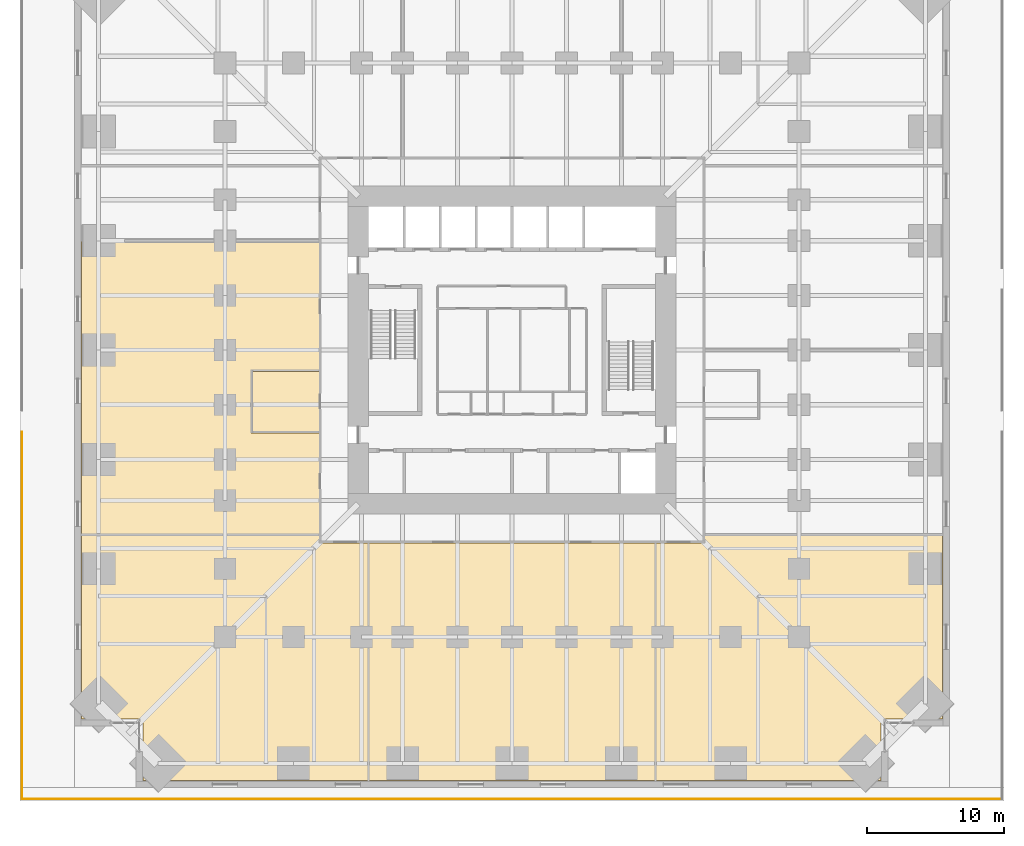
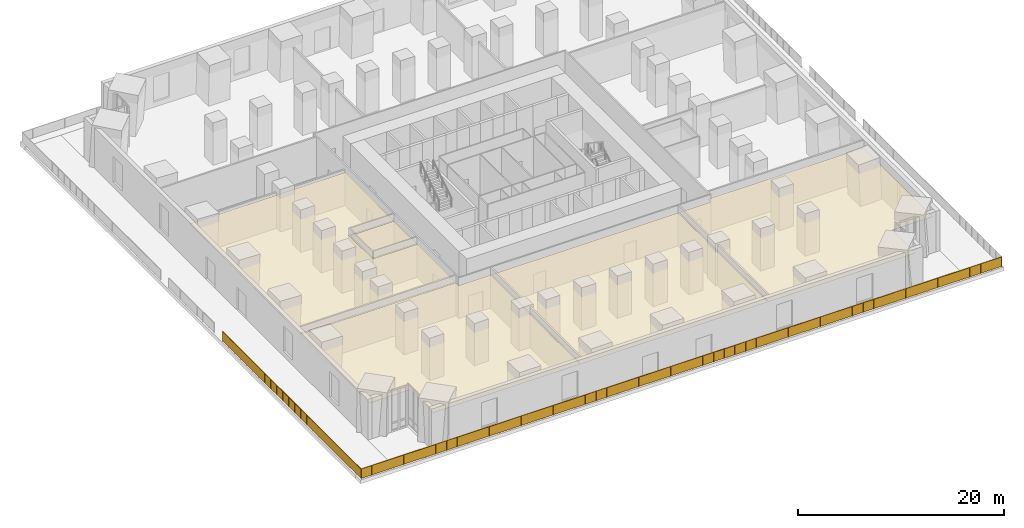
# One storey, part 24 of 26: 5 coverings, 2 railings.
"""IFC4 building model written with IfcOpenShell, lengths in metres."""

import ifcopenshell
import ifcopenshell.guid

model = None  # the IFC model being written
_history = None  # IfcOwnerHistory: only IFC2X3 demands one
_inside = {}  # id of a spatial element -> (the spatial element, [elements in it])
_under = {}  # id of a project, library or spatial element -> (it, [spatial elements below it])
_declared = {}  # id of a project -> (the project, [libraries it declares])
_typed = {}  # id of a type object -> (the type object, [elements of that type])
_made_of = {}  # id of a material, layer set ... -> (it, [elements and type objects made of it])


def new_model(schema):
    """Start an empty IFC model of exactly this schema.

    Asked for "IFC4X3", IfcOpenShell would pick the latest addendum, in which some entities
    have other attributes; the version numbers below select the first issue.
    IFC2X3 requires an IfcOwnerHistory on every rooted entity: one is made here for all.
    """
    global model, _history
    if schema == "IFC4X3":
        model = ifcopenshell.file(schema_version=(4, 3, 0, 0))
    else:
        model = ifcopenshell.file(schema=schema)
    _inside.clear()
    _under.clear()
    _declared.clear()
    _typed.clear()
    _made_of.clear()
    _history = None
    if model.schema == "IFC2X3":
        org = make("IfcOrganization", Name="unknown")
        user = make(
            "IfcPersonAndOrganization",
            ThePerson=make("IfcPerson", FamilyName="unknown"),
            TheOrganization=org,
        )
        app = make(
            "IfcApplication",
            ApplicationDeveloper=org,
            Version="unknown",
            ApplicationFullName="unknown",
            ApplicationIdentifier="unknown",
        )
        _history = make(
            "IfcOwnerHistory",
            OwningUser=user,
            OwningApplication=app,
            ChangeAction="ADDED",
            CreationDate=0,
        )
    return model


def make(cls, **values):
    """One entity of the class cls with the attributes given. An attribute that is None is left unset."""
    return model.create_entity(
        cls, **{name: value for name, value in values.items() if value is not None}
    )


def rooted(cls, **values):
    """An entity with a GlobalId (a new one), such as an element, a storey or a relation."""
    return make(cls, GlobalId=ifcopenshell.guid.new(), OwnerHistory=_history, **values)


def si_unit(unit_type, name, prefix=None):
    """IfcSIUnit, for example si_unit("LENGTHUNIT", "METRE", prefix="MILLI")."""
    return make("IfcSIUnit", UnitType=unit_type, Prefix=prefix, Name=name)


def assignment(units):
    """IfcUnitAssignment: the units of a project."""
    return None if units is None else make("IfcUnitAssignment", Units=units)


def point(xyz):
    """IfcCartesianPoint."""
    return None if xyz is None else make("IfcCartesianPoint", Coordinates=xyz)


def direction(xyz):
    """IfcDirection."""
    return None if xyz is None else make("IfcDirection", DirectionRatios=xyz)


def frame(location, z_axis=None, x_axis=None):
    """IfcAxis2Placement3D, a coordinate frame: its origin and axes. An axis left out is left unset."""
    return make(
        "IfcAxis2Placement3D",
        Location=point(location),
        Axis=direction(z_axis),
        RefDirection=direction(x_axis),
    )


def frame_2d(location, x_axis=None):
    """IfcAxis2Placement2D, a coordinate frame in the plane: its origin and x axis."""
    return make(
        "IfcAxis2Placement2D", Location=point(location), RefDirection=direction(x_axis)
    )


def origin():
    """The frame at (0, 0, 0) with its axes left unset."""
    return frame((0.0, 0.0, 0.0))


def origin_2d():
    """The frame at (0, 0) in the plane with its x axis left unset."""
    return frame_2d((0.0, 0.0))


def place(relative_to, where):
    """IfcLocalPlacement: puts the frame where relative to a parent placement (None: the world)."""
    return make(
        "IfcLocalPlacement", PlacementRelTo=relative_to, RelativePlacement=where
    )


def context(
    kind, dimensions, precision=None, world=None, true_north=None, identifier=None
):
    """IfcGeometricRepresentationContext, for example the 3D "Model" context."""
    return make(
        "IfcGeometricRepresentationContext",
        ContextIdentifier=identifier,
        ContextType=kind,
        CoordinateSpaceDimension=dimensions,
        Precision=precision,
        WorldCoordinateSystem=world,
        TrueNorth=true_north,
    )


def subcontext(parent, identifier, kind, view, scale=None):
    """IfcGeometricRepresentationSubContext, for example "Body" below "Model"."""
    return make(
        "IfcGeometricRepresentationSubContext",
        ContextIdentifier=identifier,
        ContextType=kind,
        ParentContext=parent,
        TargetScale=scale,
        TargetView=view,
    )


def project(units=None, contexts=None):
    """IfcProject with its units and contexts."""
    return rooted(
        "IfcProject",
        Name="project",
        RepresentationContexts=contexts,
        UnitsInContext=assignment(units),
    )


def spatial(cls, under=None, at=None, **own):
    """A site, building, storey or space (cls), placed at a placement, below another one or the project."""
    s = rooted(cls, ObjectPlacement=at, **own)
    if under is not None:
        _under.setdefault(under.id(), (under, []))[1].append(s)
    return s


def polyline(points):
    """IfcPolyline through the points."""
    return make("IfcPolyline", Points=[point(p) for p in points])


def profile(cls, at=None, kind="AREA", **sizes):
    """A parametric profile (cls). Its sizes go by their IFC names, for example OverallWidth=200.0."""
    return make(cls, ProfileType=kind, Position=at, **sizes)


def rectangle(**sizes):
    """IfcRectangleProfileDef."""
    return profile("IfcRectangleProfileDef", **sizes)


def circle(**sizes):
    """IfcCircleProfileDef."""
    return profile("IfcCircleProfileDef", **sizes)


def outline(outer, holes=None, kind="AREA"):
    """IfcArbitraryClosedProfileDef: a profile drawn as a closed curve; with holes, ...WithVoids."""
    if holes is None:
        return make("IfcArbitraryClosedProfileDef", ProfileType=kind, OuterCurve=outer)
    return make(
        "IfcArbitraryProfileDefWithVoids",
        ProfileType=kind,
        OuterCurve=outer,
        InnerCurves=holes,
    )


def extrude(swept, where, along, depth):
    """IfcExtrudedAreaSolid: the profile swept, set in the frame where, extruded along a direction by depth."""
    return make(
        "IfcExtrudedAreaSolid",
        SweptArea=swept,
        Position=where,
        ExtrudedDirection=direction(along),
        Depth=depth,
    )


def shape(context_of_items, identifier, shape_type, items):
    """IfcShapeRepresentation: the items that make up one representation, for example the "Body"."""
    return make(
        "IfcShapeRepresentation",
        ContextOfItems=context_of_items,
        RepresentationIdentifier=identifier,
        RepresentationType=shape_type,
        Items=items,
    )


def material(Name=None, Category=None):
    """IfcMaterial."""
    return make("IfcMaterial", Name=Name, Category=Category)


def layer(
    of_material, thickness, ventilated=None, Name=None, Category=None, Priority=None
):
    """IfcMaterialLayer: one layer of a wall or slab, of a material (None: an air gap)."""
    return make(
        "IfcMaterialLayer",
        Material=of_material,
        LayerThickness=thickness,
        IsVentilated=ventilated,
        Name=Name,
        Category=Category,
        Priority=Priority,
    )


def layer_set(layers, Name=None):
    """IfcMaterialLayerSet."""
    return make("IfcMaterialLayerSet", MaterialLayers=layers, LayerSetName=Name)


def made_of(thing, what):
    """Note that an element or type object is made of a material, layer set ...; save() writes the relation."""
    if what is not None:
        _made_of.setdefault(what.id(), (what, []))[1].append(thing)
    return thing


def type_object(cls, material=None, **own):
    """A type object (cls), such as IfcWallType, which elements share."""
    return made_of(rooted(cls, **own), material)


def element(
    cls,
    number,
    at=None,
    inside=None,
    cuts=None,
    type_object=None,
    material=None,
    context=None,
    identifier="Body",
    shape_type=None,
    held_by="IfcProductDefinitionShape",
    body=None,
    shapes=None,
    **own,
):
    """One element of the class cls, such as IfcWall. Its Tag is "e" and its number.

    at: its placement. inside: the storey or other place that contains it. cuts: it is an
    opening in that element (IfcRelVoidsElement). A single representation is given by context,
    identifier, shape_type and body (its items); several are given by shapes. held_by: the class
    of the entity that holds the representations. save() writes the other relations.
    """
    e = rooted(cls, Tag="e%d" % number, ObjectPlacement=at, **own)
    if body is not None:
        shapes = [shape(context, identifier, shape_type, body)]
    if shapes is not None:
        e.Representation = make(held_by, Representations=shapes)
    if inside is not None:
        _inside.setdefault(inside.id(), (inside, []))[1].append(e)
    if cuts is not None:
        rooted(
            "IfcRelVoidsElement", RelatingBuildingElement=cuts, RelatedOpeningElement=e
        )
    if type_object is not None:
        _typed.setdefault(type_object.id(), (type_object, []))[1].append(e)
    return made_of(e, material)


def aggregate(whole, parts):
    """IfcRelAggregates: a whole, such as a stair, and the parts it consists of."""
    return rooted("IfcRelAggregates", RelatingObject=whole, RelatedObjects=parts)


def save(model, path):
    """Write the relations noted so far, then the file.

    IfcRelAggregates (storeys below a building ...), IfcRelContainedInSpatialStructure (elements
    in a storey), IfcRelDefinesByType, IfcRelAssociatesMaterial and IfcRelDeclares: one each for
    every whole, place, type object, material and project.
    """
    for whole, parts in _under.values():
        aggregate(whole, parts)
    for where, things in _inside.values():
        rooted(
            "IfcRelContainedInSpatialStructure",
            RelatedElements=things,
            RelatingStructure=where,
        )
    for kind, things in _typed.values():
        rooted("IfcRelDefinesByType", RelatedObjects=things, RelatingType=kind)
    for what, things in _made_of.values():
        rooted("IfcRelAssociatesMaterial", RelatedObjects=things, RelatingMaterial=what)
    for by, libraries in _declared.values():
        rooted("IfcRelDeclares", RelatingContext=by, RelatedDefinitions=libraries)
    model.write(path)


model = new_model("IFC4")

# Units and contexts
model_context = context("Model", 3, precision=1e-05, world=origin(), true_north=direction((0.0, 1.0)))
body_context = subcontext(model_context, "Body", "Model", "MODEL_VIEW")
ifc_project = project(units=[si_unit("LENGTHUNIT", "METRE"), si_unit("AREAUNIT", "SQUARE_METRE"), si_unit("VOLUMEUNIT", "CUBIC_METRE"), si_unit("PLANEANGLEUNIT", "RADIAN"), si_unit("MASSUNIT", "GRAM", prefix="KILO")], contexts=[model_context])

# Site, building, storey
site_placement = place(None, origin())
site = spatial("IfcSite", under=ifc_project, at=site_placement, CompositionType="ELEMENT")
building_placement = place(site_placement, origin())
building = spatial("IfcBuilding", under=site, at=building_placement, Name="Peilmerk Tower", CompositionType="ELEMENT")
storey_placement = place(building_placement, frame((0.0, 0.0, 16.0)))
storey = spatial("IfcBuildingStorey", under=building, at=storey_placement, Name="L03", CompositionType="ELEMENT", Elevation=16.0)

# Coverings
ifc_material_1 = material(Name="Mineral fibre ceiling tiles", Category="mineral")
ifc_layer = layer(ifc_material_1, 0.02490234375)
ifc_layer_set = layer_set([ifc_layer], Name="Mineral fibre ceiling tiles")
covering_type = type_object("IfcCoveringType", Name="CL1 25 suspended ceiling", PredefinedType="CEILING", material=ifc_layer_set)
covering_1_placement = place(storey_placement, frame((0.0, 0.0, 3.875)))
element("IfcCovering", 1, at=covering_1_placement, inside=storey, type_object=covering_type, Name="Suspended ceiling Open workspace", PredefinedType="CEILING", context=body_context, shape_type="SweptSolid", body=[
    extrude(outline(polyline([(-27.0, -31.5), (-10.550048828125, -31.5), (-10.550048828125, -14.10009765625), (-14.10009765625, -14.10009765625), (-14.10009765625, -13.550048828125), (-31.5, -13.550048828125), (-31.5, -27.0), (-27.0, -27.0), (-27.0, -31.5)])), origin(), (0.0, 0.0, 1.0), 0.02490234375),
])
covering_2_placement = place(storey_placement, frame((0.0, 0.0, 3.875)))
element("IfcCovering", 2, at=covering_2_placement, inside=storey, type_object=covering_type, Name="Suspended ceiling Training room", PredefinedType="CEILING", context=body_context, shape_type="SweptSolid", body=[
    extrude(outline(polyline([(-10.449951171875, -31.5), (10.449951171875, -31.5), (10.449951171875, -14.10009765625), (-10.449951171875, -14.10009765625), (-10.449951171875, -31.5)])), origin(), (0.0, 0.0, 1.0), 0.02490234375),
])
covering_3_placement = place(storey_placement, frame((0.0, 0.0, 3.875)))
element("IfcCovering", 3, at=covering_3_placement, inside=storey, type_object=covering_type, Name="Suspended ceiling Open workspace", PredefinedType="CEILING", context=body_context, shape_type="SweptSolid", body=[
    extrude(outline(polyline([(10.550048828125, -31.5), (27.0, -31.5), (27.0, -27.0), (31.5, -27.0), (31.5, -13.550048828125), (14.10009765625, -13.550048828125), (14.10009765625, -14.10009765625), (10.550048828125, -14.10009765625), (10.550048828125, -31.5)])), origin(), (0.0, 0.0, 1.0), 0.02490234375),
])
covering_4_placement = place(storey_placement, frame((0.0, 0.0, 3.875)))
element("IfcCovering", 4, at=covering_4_placement, inside=storey, type_object=covering_type, Name="Suspended ceiling Office", PredefinedType="CEILING", context=body_context, shape_type="SweptSolid", body=[
    extrude(outline(polyline([(-14.10009765625, 7.949951171875), (-31.5, 7.949951171875), (-31.5, -13.449951171875), (-14.10009765625, -13.449951171875), (-14.10009765625, -6.050048828125), (-19.10009765625, -6.050048828125), (-19.10009765625, -1.449951171875), (-14.10009765625, -1.449951171875), (-14.10009765625, 7.949951171875)])), origin(), (0.0, 0.0, 1.0), 0.02490234375),
])
covering_5_placement = place(storey_placement, frame((0.0, 0.0, 3.875)))
element("IfcCovering", 5, at=covering_5_placement, inside=storey, type_object=covering_type, Name="Suspended ceiling Meeting room", PredefinedType="CEILING", context=body_context, shape_type="SweptSolid", body=[
    extrude(outline(polyline([(-14.10009765625, -5.949951171875), (-14.10009765625, -1.550048828125), (-19.0, -1.550048828125), (-19.0, -5.949951171875), (-14.10009765625, -5.949951171875)])), origin(), (0.0, 0.0, 1.0), 0.02490234375),
])

# Railings
ifc_material_2 = material(Name="Galvanised steel posts and top rail, laminated glass infill 16", Category="steel")
railing_type = type_object("IfcRailingType", Name="GR2 1200 terrace balustrade", PredefinedType="BALUSTRADE", material=ifc_material_2)
railing_1_placement = place(storey_placement, frame((-35.85009765625, -32.85009765625, 0.0)))
element("IfcRailing", 6, at=railing_1_placement, inside=storey, type_object=railing_type, Name="Terrace balustrade L03", PredefinedType="BALUSTRADE", context=body_context, shape_type="SweptSolid", body=[
    extrude(circle(Radius=0.02392578125, at=origin_2d()), frame((0.0, 0.0, 1.17578125), z_axis=(1.0, 0.0, 0.0), x_axis=(0.0, 1.0, 0.0)), (0.0, 0.0, 1.0), 71.7001953125),
    extrude(circle(Radius=0.02099609375, at=origin_2d()), origin(), (0.0, 0.0, 1.0), 1.15185546875),
    extrude(circle(Radius=0.02099609375, at=origin_2d()), frame((1.195068359375, 0.0, 0.0)), (0.0, 0.0, 1.0), 1.15185546875),
    extrude(circle(Radius=0.02099609375, at=origin_2d()), frame((2.389892578125, 0.0, 0.0)), (0.0, 0.0, 1.0), 1.15185546875),
    extrude(circle(Radius=0.02099609375, at=origin_2d()), frame((3.5849609375, 0.0, 0.0)), (0.0, 0.0, 1.0), 1.15185546875),
    extrude(circle(Radius=0.02099609375, at=origin_2d()), frame((4.780029296875, 0.0, 0.0)), (0.0, 0.0, 1.0), 1.15185546875),
    extrude(circle(Radius=0.02099609375, at=origin_2d()), frame((5.97509765625, 0.0, 0.0)), (0.0, 0.0, 1.0), 1.15185546875),
    extrude(circle(Radius=0.02099609375, at=origin_2d()), frame((7.169921875, 0.0, 0.0)), (0.0, 0.0, 1.0), 1.15185546875),
    extrude(circle(Radius=0.02099609375, at=origin_2d()), frame((8.364990234375, 0.0, 0.0)), (0.0, 0.0, 1.0), 1.15185546875),
    extrude(circle(Radius=0.02099609375, at=origin_2d()), frame((9.56005859375, 0.0, 0.0)), (0.0, 0.0, 1.0), 1.15185546875),
    extrude(circle(Radius=0.02099609375, at=origin_2d()), frame((10.755126953125, 0.0, 0.0)), (0.0, 0.0, 1.0), 1.15185546875),
    extrude(circle(Radius=0.02099609375, at=origin_2d()), frame((11.949951171875, 0.0, 0.0)), (0.0, 0.0, 1.0), 1.15185546875),
    extrude(circle(Radius=0.02099609375, at=origin_2d()), frame((13.14501953125, 0.0, 0.0)), (0.0, 0.0, 1.0), 1.15185546875),
    extrude(circle(Radius=0.02099609375, at=origin_2d()), frame((14.340087890625, 0.0, 0.0)), (0.0, 0.0, 1.0), 1.15185546875),
    extrude(circle(Radius=0.02099609375, at=origin_2d()), frame((15.53515625, 0.0, 0.0)), (0.0, 0.0, 1.0), 1.15185546875),
    extrude(circle(Radius=0.02099609375, at=origin_2d()), frame((16.72998046875, 0.0, 0.0)), (0.0, 0.0, 1.0), 1.15185546875),
    extrude(circle(Radius=0.02099609375, at=origin_2d()), frame((17.925048828125, 0.0, 0.0)), (0.0, 0.0, 1.0), 1.15185546875),
    extrude(circle(Radius=0.02099609375, at=origin_2d()), frame((19.1201171875, 0.0, 0.0)), (0.0, 0.0, 1.0), 1.15185546875),
    extrude(circle(Radius=0.02099609375, at=origin_2d()), frame((20.31494140625, 0.0, 0.0)), (0.0, 0.0, 1.0), 1.15185546875),
    extrude(circle(Radius=0.02099609375, at=origin_2d()), frame((21.510009765625, 0.0, 0.0)), (0.0, 0.0, 1.0), 1.15185546875),
    extrude(circle(Radius=0.02099609375, at=origin_2d()), frame((22.705078125, 0.0, 0.0)), (0.0, 0.0, 1.0), 1.15185546875),
    extrude(circle(Radius=0.02099609375, at=origin_2d()), frame((23.900146484375, 0.0, 0.0)), (0.0, 0.0, 1.0), 1.15185546875),
    extrude(circle(Radius=0.02099609375, at=origin_2d()), frame((25.094970703125, 0.0, 0.0)), (0.0, 0.0, 1.0), 1.15185546875),
    extrude(circle(Radius=0.02099609375, at=origin_2d()), frame((26.2900390625, 0.0, 0.0)), (0.0, 0.0, 1.0), 1.15185546875),
    extrude(circle(Radius=0.02099609375, at=origin_2d()), frame((27.485107421875, 0.0, 0.0)), (0.0, 0.0, 1.0), 1.15185546875),
    extrude(circle(Radius=0.02099609375, at=origin_2d()), frame((28.68017578125, 0.0, 0.0)), (0.0, 0.0, 1.0), 1.15185546875),
    extrude(circle(Radius=0.02099609375, at=origin_2d()), frame((29.875, 0.0, 0.0)), (0.0, 0.0, 1.0), 1.15185546875),
    extrude(circle(Radius=0.02099609375, at=origin_2d()), frame((31.070068359375, 0.0, 0.0)), (0.0, 0.0, 1.0), 1.15185546875),
    extrude(circle(Radius=0.02099609375, at=origin_2d()), frame((32.26513671875, 0.0, 0.0)), (0.0, 0.0, 1.0), 1.15185546875),
    extrude(circle(Radius=0.02099609375, at=origin_2d()), frame((33.460205078125, 0.0, 0.0)), (0.0, 0.0, 1.0), 1.15185546875),
    extrude(circle(Radius=0.02099609375, at=origin_2d()), frame((34.655029296875, 0.0, 0.0)), (0.0, 0.0, 1.0), 1.15185546875),
    extrude(circle(Radius=0.02099609375, at=origin_2d()), frame((35.85009765625, 0.0, 0.0)), (0.0, 0.0, 1.0), 1.15185546875),
    extrude(circle(Radius=0.02099609375, at=origin_2d()), frame((37.045166015625, 0.0, 0.0)), (0.0, 0.0, 1.0), 1.15185546875),
    extrude(circle(Radius=0.02099609375, at=origin_2d()), frame((38.239990234375, 0.0, 0.0)), (0.0, 0.0, 1.0), 1.15185546875),
    extrude(circle(Radius=0.02099609375, at=origin_2d()), frame((39.43505859375, 0.0, 0.0)), (0.0, 0.0, 1.0), 1.15185546875),
    extrude(circle(Radius=0.02099609375, at=origin_2d()), frame((40.630126953125, 0.0, 0.0)), (0.0, 0.0, 1.0), 1.15185546875),
    extrude(circle(Radius=0.02099609375, at=origin_2d()), frame((41.8251953125, 0.0, 0.0)), (0.0, 0.0, 1.0), 1.15185546875),
    extrude(circle(Radius=0.02099609375, at=origin_2d()), frame((43.02001953125, 0.0, 0.0)), (0.0, 0.0, 1.0), 1.15185546875),
    extrude(circle(Radius=0.02099609375, at=origin_2d()), frame((44.215087890625, 0.0, 0.0)), (0.0, 0.0, 1.0), 1.15185546875),
    extrude(circle(Radius=0.02099609375, at=origin_2d()), frame((45.41015625, 0.0, 0.0)), (0.0, 0.0, 1.0), 1.15185546875),
    extrude(circle(Radius=0.02099609375, at=origin_2d()), frame((46.605224609375, 0.0, 0.0)), (0.0, 0.0, 1.0), 1.15185546875),
    extrude(circle(Radius=0.02099609375, at=origin_2d()), frame((47.800048828125, 0.0, 0.0)), (0.0, 0.0, 1.0), 1.15185546875),
    extrude(circle(Radius=0.02099609375, at=origin_2d()), frame((48.9951171875, 0.0, 0.0)), (0.0, 0.0, 1.0), 1.15185546875),
    extrude(circle(Radius=0.02099609375, at=origin_2d()), frame((50.190185546875, 0.0, 0.0)), (0.0, 0.0, 1.0), 1.15185546875),
    extrude(circle(Radius=0.02099609375, at=origin_2d()), frame((51.38525390625, 0.0, 0.0)), (0.0, 0.0, 1.0), 1.15185546875),
    extrude(circle(Radius=0.02099609375, at=origin_2d()), frame((52.580078125, 0.0, 0.0)), (0.0, 0.0, 1.0), 1.15185546875),
    extrude(circle(Radius=0.02099609375, at=origin_2d()), frame((53.775146484375, 0.0, 0.0)), (0.0, 0.0, 1.0), 1.15185546875),
    extrude(circle(Radius=0.02099609375, at=origin_2d()), frame((54.97021484375, 0.0, 0.0)), (0.0, 0.0, 1.0), 1.15185546875),
    extrude(circle(Radius=0.02099609375, at=origin_2d()), frame((56.1650390625, 0.0, 0.0)), (0.0, 0.0, 1.0), 1.15185546875),
    extrude(circle(Radius=0.02099609375, at=origin_2d()), frame((57.360107421875, 0.0, 0.0)), (0.0, 0.0, 1.0), 1.15185546875),
    extrude(circle(Radius=0.02099609375, at=origin_2d()), frame((58.55517578125, 0.0, 0.0)), (0.0, 0.0, 1.0), 1.15185546875),
    extrude(circle(Radius=0.02099609375, at=origin_2d()), frame((59.750244140625, 0.0, 0.0)), (0.0, 0.0, 1.0), 1.15185546875),
    extrude(circle(Radius=0.02099609375, at=origin_2d()), frame((60.945068359375, 0.0, 0.0)), (0.0, 0.0, 1.0), 1.15185546875),
    extrude(circle(Radius=0.02099609375, at=origin_2d()), frame((62.14013671875, 0.0, 0.0)), (0.0, 0.0, 1.0), 1.15185546875),
    extrude(circle(Radius=0.02099609375, at=origin_2d()), frame((63.335205078125, 0.0, 0.0)), (0.0, 0.0, 1.0), 1.15185546875),
    extrude(circle(Radius=0.02099609375, at=origin_2d()), frame((64.5302734375, 0.0, 0.0)), (0.0, 0.0, 1.0), 1.15185546875),
    extrude(circle(Radius=0.02099609375, at=origin_2d()), frame((65.72509765625, 0.0, 0.0)), (0.0, 0.0, 1.0), 1.15185546875),
    extrude(circle(Radius=0.02099609375, at=origin_2d()), frame((66.920166015625, 0.0, 0.0)), (0.0, 0.0, 1.0), 1.15185546875),
    extrude(circle(Radius=0.02099609375, at=origin_2d()), frame((68.115234375, 0.0, 0.0)), (0.0, 0.0, 1.0), 1.15185546875),
    extrude(circle(Radius=0.02099609375, at=origin_2d()), frame((69.310302734375, 0.0, 0.0)), (0.0, 0.0, 1.0), 1.15185546875),
    extrude(circle(Radius=0.02099609375, at=origin_2d()), frame((70.505126953125, 0.0, 0.0)), (0.0, 0.0, 1.0), 1.15185546875),
    extrude(circle(Radius=0.02099609375, at=origin_2d()), frame((71.7001953125, 0.0, 0.0)), (0.0, 0.0, 1.0), 1.15185546875),
    extrude(rectangle(XDim=1.153076171875, YDim=0.01611328125, at=origin_2d()), frame((0.597412109375, 0.0, 0.050048828125), z_axis=(0.0, 0.0, 1.0), x_axis=(1.0, 0.0, 0.0)), (0.0, 0.0, 1.0), 1.101806640625),
    extrude(rectangle(XDim=1.153076171875, YDim=0.01611328125, at=origin_2d()), frame((1.79248046875, 0.0, 0.050048828125), z_axis=(0.0, 0.0, 1.0), x_axis=(1.0, 0.0, 0.0)), (0.0, 0.0, 1.0), 1.101806640625),
    extrude(rectangle(XDim=1.153076171875, YDim=0.01611328125, at=origin_2d()), frame((2.987548828125, 0.0, 0.050048828125), z_axis=(0.0, 0.0, 1.0), x_axis=(1.0, 0.0, 0.0)), (0.0, 0.0, 1.0), 1.101806640625),
    extrude(rectangle(XDim=1.153076171875, YDim=0.01611328125, at=origin_2d()), frame((4.1826171875, 0.0, 0.050048828125), z_axis=(0.0, 0.0, 1.0), x_axis=(1.0, 0.0, 0.0)), (0.0, 0.0, 1.0), 1.101806640625),
    extrude(rectangle(XDim=1.153076171875, YDim=0.01611328125, at=origin_2d()), frame((5.37744140625, 0.0, 0.050048828125), z_axis=(0.0, 0.0, 1.0), x_axis=(1.0, 0.0, 0.0)), (0.0, 0.0, 1.0), 1.101806640625),
    extrude(rectangle(XDim=1.153076171875, YDim=0.01611328125, at=origin_2d()), frame((6.572509765625, 0.0, 0.050048828125), z_axis=(0.0, 0.0, 1.0), x_axis=(1.0, 0.0, 0.0)), (0.0, 0.0, 1.0), 1.101806640625),
    extrude(rectangle(XDim=1.153076171875, YDim=0.01611328125, at=origin_2d()), frame((7.767578125, 0.0, 0.050048828125), z_axis=(0.0, 0.0, 1.0), x_axis=(1.0, 0.0, 0.0)), (0.0, 0.0, 1.0), 1.101806640625),
    extrude(rectangle(XDim=1.153076171875, YDim=0.01611328125, at=origin_2d()), frame((8.96240234375, 0.0, 0.050048828125), z_axis=(0.0, 0.0, 1.0), x_axis=(1.0, 0.0, 0.0)), (0.0, 0.0, 1.0), 1.101806640625),
    extrude(rectangle(XDim=1.153076171875, YDim=0.01611328125, at=origin_2d()), frame((10.157470703125, 0.0, 0.050048828125), z_axis=(0.0, 0.0, 1.0), x_axis=(1.0, 0.0, 0.0)), (0.0, 0.0, 1.0), 1.101806640625),
    extrude(rectangle(XDim=1.153076171875, YDim=0.01611328125, at=origin_2d()), frame((11.3525390625, 0.0, 0.050048828125), z_axis=(0.0, 0.0, 1.0), x_axis=(1.0, 0.0, 0.0)), (0.0, 0.0, 1.0), 1.101806640625),
    extrude(rectangle(XDim=1.153076171875, YDim=0.01611328125, at=origin_2d()), frame((12.547607421875, 0.0, 0.050048828125), z_axis=(0.0, 0.0, 1.0), x_axis=(1.0, 0.0, 0.0)), (0.0, 0.0, 1.0), 1.101806640625),
    extrude(rectangle(XDim=1.153076171875, YDim=0.01611328125, at=origin_2d()), frame((13.742431640625, 0.0, 0.050048828125), z_axis=(0.0, 0.0, 1.0), x_axis=(1.0, 0.0, 0.0)), (0.0, 0.0, 1.0), 1.101806640625),
    extrude(rectangle(XDim=1.153076171875, YDim=0.01611328125, at=origin_2d()), frame((14.9375, 0.0, 0.050048828125), z_axis=(0.0, 0.0, 1.0), x_axis=(1.0, 0.0, 0.0)), (0.0, 0.0, 1.0), 1.101806640625),
    extrude(rectangle(XDim=1.153076171875, YDim=0.01611328125, at=origin_2d()), frame((16.132568359375, 0.0, 0.050048828125), z_axis=(0.0, 0.0, 1.0), x_axis=(1.0, 0.0, 0.0)), (0.0, 0.0, 1.0), 1.101806640625),
    extrude(rectangle(XDim=1.153076171875, YDim=0.01611328125, at=origin_2d()), frame((17.32763671875, 0.0, 0.050048828125), z_axis=(0.0, 0.0, 1.0), x_axis=(1.0, 0.0, 0.0)), (0.0, 0.0, 1.0), 1.101806640625),
    extrude(rectangle(XDim=1.153076171875, YDim=0.01611328125, at=origin_2d()), frame((18.5224609375, 0.0, 0.050048828125), z_axis=(0.0, 0.0, 1.0), x_axis=(1.0, 0.0, 0.0)), (0.0, 0.0, 1.0), 1.101806640625),
    extrude(rectangle(XDim=1.153076171875, YDim=0.01611328125, at=origin_2d()), frame((19.717529296875, 0.0, 0.050048828125), z_axis=(0.0, 0.0, 1.0), x_axis=(1.0, 0.0, 0.0)), (0.0, 0.0, 1.0), 1.101806640625),
    extrude(rectangle(XDim=1.153076171875, YDim=0.01611328125, at=origin_2d()), frame((20.91259765625, 0.0, 0.050048828125), z_axis=(0.0, 0.0, 1.0), x_axis=(1.0, 0.0, 0.0)), (0.0, 0.0, 1.0), 1.101806640625),
    extrude(rectangle(XDim=1.153076171875, YDim=0.01611328125, at=origin_2d()), frame((22.107666015625, 0.0, 0.050048828125), z_axis=(0.0, 0.0, 1.0), x_axis=(1.0, 0.0, 0.0)), (0.0, 0.0, 1.0), 1.101806640625),
    extrude(rectangle(XDim=1.153076171875, YDim=0.01611328125, at=origin_2d()), frame((23.302490234375, 0.0, 0.050048828125), z_axis=(0.0, 0.0, 1.0), x_axis=(1.0, 0.0, 0.0)), (0.0, 0.0, 1.0), 1.101806640625),
    extrude(rectangle(XDim=1.153076171875, YDim=0.01611328125, at=origin_2d()), frame((24.49755859375, 0.0, 0.050048828125), z_axis=(0.0, 0.0, 1.0), x_axis=(1.0, 0.0, 0.0)), (0.0, 0.0, 1.0), 1.101806640625),
    extrude(rectangle(XDim=1.153076171875, YDim=0.01611328125, at=origin_2d()), frame((25.692626953125, 0.0, 0.050048828125), z_axis=(0.0, 0.0, 1.0), x_axis=(1.0, 0.0, 0.0)), (0.0, 0.0, 1.0), 1.101806640625),
    extrude(rectangle(XDim=1.153076171875, YDim=0.01611328125, at=origin_2d()), frame((26.8876953125, 0.0, 0.050048828125), z_axis=(0.0, 0.0, 1.0), x_axis=(1.0, 0.0, 0.0)), (0.0, 0.0, 1.0), 1.101806640625),
    extrude(rectangle(XDim=1.153076171875, YDim=0.01611328125, at=origin_2d()), frame((28.08251953125, 0.0, 0.050048828125), z_axis=(0.0, 0.0, 1.0), x_axis=(1.0, 0.0, 0.0)), (0.0, 0.0, 1.0), 1.101806640625),
    extrude(rectangle(XDim=1.153076171875, YDim=0.01611328125, at=origin_2d()), frame((29.277587890625, 0.0, 0.050048828125), z_axis=(0.0, 0.0, 1.0), x_axis=(1.0, 0.0, 0.0)), (0.0, 0.0, 1.0), 1.101806640625),
    extrude(rectangle(XDim=1.153076171875, YDim=0.01611328125, at=origin_2d()), frame((30.47265625, 0.0, 0.050048828125), z_axis=(0.0, 0.0, 1.0), x_axis=(1.0, 0.0, 0.0)), (0.0, 0.0, 1.0), 1.101806640625),
    extrude(rectangle(XDim=1.153076171875, YDim=0.01611328125, at=origin_2d()), frame((31.66748046875, 0.0, 0.050048828125), z_axis=(0.0, 0.0, 1.0), x_axis=(1.0, 0.0, 0.0)), (0.0, 0.0, 1.0), 1.101806640625),
    extrude(rectangle(XDim=1.153076171875, YDim=0.01611328125, at=origin_2d()), frame((32.862548828125, 0.0, 0.050048828125), z_axis=(0.0, 0.0, 1.0), x_axis=(1.0, 0.0, 0.0)), (0.0, 0.0, 1.0), 1.101806640625),
    extrude(rectangle(XDim=1.153076171875, YDim=0.01611328125, at=origin_2d()), frame((34.0576171875, 0.0, 0.050048828125), z_axis=(0.0, 0.0, 1.0), x_axis=(1.0, 0.0, 0.0)), (0.0, 0.0, 1.0), 1.101806640625),
    extrude(rectangle(XDim=1.153076171875, YDim=0.01611328125, at=origin_2d()), frame((35.252685546875, 0.0, 0.050048828125), z_axis=(0.0, 0.0, 1.0), x_axis=(1.0, 0.0, 0.0)), (0.0, 0.0, 1.0), 1.101806640625),
    extrude(rectangle(XDim=1.153076171875, YDim=0.01611328125, at=origin_2d()), frame((36.447509765625, 0.0, 0.050048828125), z_axis=(0.0, 0.0, 1.0), x_axis=(1.0, 0.0, 0.0)), (0.0, 0.0, 1.0), 1.101806640625),
    extrude(rectangle(XDim=1.153076171875, YDim=0.01611328125, at=origin_2d()), frame((37.642578125, 0.0, 0.050048828125), z_axis=(0.0, 0.0, 1.0), x_axis=(1.0, 0.0, 0.0)), (0.0, 0.0, 1.0), 1.101806640625),
    extrude(rectangle(XDim=1.153076171875, YDim=0.01611328125, at=origin_2d()), frame((38.837646484375, 0.0, 0.050048828125), z_axis=(0.0, 0.0, 1.0), x_axis=(1.0, 0.0, 0.0)), (0.0, 0.0, 1.0), 1.101806640625),
    extrude(rectangle(XDim=1.153076171875, YDim=0.01611328125, at=origin_2d()), frame((40.03271484375, 0.0, 0.050048828125), z_axis=(0.0, 0.0, 1.0), x_axis=(1.0, 0.0, 0.0)), (0.0, 0.0, 1.0), 1.101806640625),
    extrude(rectangle(XDim=1.153076171875, YDim=0.01611328125, at=origin_2d()), frame((41.2275390625, 0.0, 0.050048828125), z_axis=(0.0, 0.0, 1.0), x_axis=(1.0, 0.0, 0.0)), (0.0, 0.0, 1.0), 1.101806640625),
    extrude(rectangle(XDim=1.153076171875, YDim=0.01611328125, at=origin_2d()), frame((42.422607421875, 0.0, 0.050048828125), z_axis=(0.0, 0.0, 1.0), x_axis=(1.0, 0.0, 0.0)), (0.0, 0.0, 1.0), 1.101806640625),
    extrude(rectangle(XDim=1.153076171875, YDim=0.01611328125, at=origin_2d()), frame((43.61767578125, 0.0, 0.050048828125), z_axis=(0.0, 0.0, 1.0), x_axis=(1.0, 0.0, 0.0)), (0.0, 0.0, 1.0), 1.101806640625),
    extrude(rectangle(XDim=1.153076171875, YDim=0.01611328125, at=origin_2d()), frame((44.8125, 0.0, 0.050048828125), z_axis=(0.0, 0.0, 1.0), x_axis=(1.0, 0.0, 0.0)), (0.0, 0.0, 1.0), 1.101806640625),
    extrude(rectangle(XDim=1.153076171875, YDim=0.01611328125, at=origin_2d()), frame((46.007568359375, 0.0, 0.050048828125), z_axis=(0.0, 0.0, 1.0), x_axis=(1.0, 0.0, 0.0)), (0.0, 0.0, 1.0), 1.101806640625),
    extrude(rectangle(XDim=1.153076171875, YDim=0.01611328125, at=origin_2d()), frame((47.20263671875, 0.0, 0.050048828125), z_axis=(0.0, 0.0, 1.0), x_axis=(1.0, 0.0, 0.0)), (0.0, 0.0, 1.0), 1.101806640625),
    extrude(rectangle(XDim=1.153076171875, YDim=0.01611328125, at=origin_2d()), frame((48.397705078125, 0.0, 0.050048828125), z_axis=(0.0, 0.0, 1.0), x_axis=(1.0, 0.0, 0.0)), (0.0, 0.0, 1.0), 1.101806640625),
    extrude(rectangle(XDim=1.153076171875, YDim=0.01611328125, at=origin_2d()), frame((49.592529296875, 0.0, 0.050048828125), z_axis=(0.0, 0.0, 1.0), x_axis=(1.0, 0.0, 0.0)), (0.0, 0.0, 1.0), 1.101806640625),
    extrude(rectangle(XDim=1.153076171875, YDim=0.01611328125, at=origin_2d()), frame((50.78759765625, 0.0, 0.050048828125), z_axis=(0.0, 0.0, 1.0), x_axis=(1.0, 0.0, 0.0)), (0.0, 0.0, 1.0), 1.101806640625),
    extrude(rectangle(XDim=1.153076171875, YDim=0.01611328125, at=origin_2d()), frame((51.982666015625, 0.0, 0.050048828125), z_axis=(0.0, 0.0, 1.0), x_axis=(1.0, 0.0, 0.0)), (0.0, 0.0, 1.0), 1.101806640625),
    extrude(rectangle(XDim=1.153076171875, YDim=0.01611328125, at=origin_2d()), frame((53.177734375, 0.0, 0.050048828125), z_axis=(0.0, 0.0, 1.0), x_axis=(1.0, 0.0, 0.0)), (0.0, 0.0, 1.0), 1.101806640625),
    extrude(rectangle(XDim=1.153076171875, YDim=0.01611328125, at=origin_2d()), frame((54.37255859375, 0.0, 0.050048828125), z_axis=(0.0, 0.0, 1.0), x_axis=(1.0, 0.0, 0.0)), (0.0, 0.0, 1.0), 1.101806640625),
    extrude(rectangle(XDim=1.153076171875, YDim=0.01611328125, at=origin_2d()), frame((55.567626953125, 0.0, 0.050048828125), z_axis=(0.0, 0.0, 1.0), x_axis=(1.0, 0.0, 0.0)), (0.0, 0.0, 1.0), 1.101806640625),
    extrude(rectangle(XDim=1.153076171875, YDim=0.01611328125, at=origin_2d()), frame((56.7626953125, 0.0, 0.050048828125), z_axis=(0.0, 0.0, 1.0), x_axis=(1.0, 0.0, 0.0)), (0.0, 0.0, 1.0), 1.101806640625),
    extrude(rectangle(XDim=1.153076171875, YDim=0.01611328125, at=origin_2d()), frame((57.957763671875, 0.0, 0.050048828125), z_axis=(0.0, 0.0, 1.0), x_axis=(1.0, 0.0, 0.0)), (0.0, 0.0, 1.0), 1.101806640625),
    extrude(rectangle(XDim=1.153076171875, YDim=0.01611328125, at=origin_2d()), frame((59.152587890625, 0.0, 0.050048828125), z_axis=(0.0, 0.0, 1.0), x_axis=(1.0, 0.0, 0.0)), (0.0, 0.0, 1.0), 1.101806640625),
    extrude(rectangle(XDim=1.153076171875, YDim=0.01611328125, at=origin_2d()), frame((60.34765625, 0.0, 0.050048828125), z_axis=(0.0, 0.0, 1.0), x_axis=(1.0, 0.0, 0.0)), (0.0, 0.0, 1.0), 1.101806640625),
    extrude(rectangle(XDim=1.153076171875, YDim=0.01611328125, at=origin_2d()), frame((61.542724609375, 0.0, 0.050048828125), z_axis=(0.0, 0.0, 1.0), x_axis=(1.0, 0.0, 0.0)), (0.0, 0.0, 1.0), 1.101806640625),
    extrude(rectangle(XDim=1.153076171875, YDim=0.01611328125, at=origin_2d()), frame((62.73779296875, 0.0, 0.050048828125), z_axis=(0.0, 0.0, 1.0), x_axis=(1.0, 0.0, 0.0)), (0.0, 0.0, 1.0), 1.101806640625),
    extrude(rectangle(XDim=1.153076171875, YDim=0.01611328125, at=origin_2d()), frame((63.9326171875, 0.0, 0.050048828125), z_axis=(0.0, 0.0, 1.0), x_axis=(1.0, 0.0, 0.0)), (0.0, 0.0, 1.0), 1.101806640625),
    extrude(rectangle(XDim=1.153076171875, YDim=0.01611328125, at=origin_2d()), frame((65.127685546875, 0.0, 0.050048828125), z_axis=(0.0, 0.0, 1.0), x_axis=(1.0, 0.0, 0.0)), (0.0, 0.0, 1.0), 1.101806640625),
    extrude(rectangle(XDim=1.153076171875, YDim=0.01611328125, at=origin_2d()), frame((66.32275390625, 0.0, 0.050048828125), z_axis=(0.0, 0.0, 1.0), x_axis=(1.0, 0.0, 0.0)), (0.0, 0.0, 1.0), 1.101806640625),
    extrude(rectangle(XDim=1.153076171875, YDim=0.01611328125, at=origin_2d()), frame((67.517578125, 0.0, 0.050048828125), z_axis=(0.0, 0.0, 1.0), x_axis=(1.0, 0.0, 0.0)), (0.0, 0.0, 1.0), 1.101806640625),
    extrude(rectangle(XDim=1.153076171875, YDim=0.01611328125, at=origin_2d()), frame((68.712646484375, 0.0, 0.050048828125), z_axis=(0.0, 0.0, 1.0), x_axis=(1.0, 0.0, 0.0)), (0.0, 0.0, 1.0), 1.101806640625),
    extrude(rectangle(XDim=1.153076171875, YDim=0.01611328125, at=origin_2d()), frame((69.90771484375, 0.0, 0.050048828125), z_axis=(0.0, 0.0, 1.0), x_axis=(1.0, 0.0, 0.0)), (0.0, 0.0, 1.0), 1.101806640625),
    extrude(rectangle(XDim=1.153076171875, YDim=0.01611328125, at=origin_2d()), frame((71.102783203125, 0.0, 0.050048828125), z_axis=(0.0, 0.0, 1.0), x_axis=(1.0, 0.0, 0.0)), (0.0, 0.0, 1.0), 1.101806640625),
])
railing_2_placement = place(storey_placement, frame((-35.85009765625, -32.85009765625, 0.0)))
element("IfcRailing", 7, at=railing_2_placement, inside=storey, type_object=railing_type, Name="Terrace balustrade L03", PredefinedType="BALUSTRADE", context=body_context, shape_type="SweptSolid", body=[
    extrude(circle(Radius=0.02392578125, at=origin_2d()), frame((0.0, 0.0, 1.17578125), z_axis=(0.0, 1.0, 0.0), x_axis=(-1.0, 0.0, 0.0)), (0.0, 0.0, 1.0), 26.85009765625),
    extrude(circle(Radius=0.02099609375, at=origin_2d()), origin(), (0.0, 0.0, 1.0), 1.15185546875),
    extrude(circle(Radius=0.02099609375, at=origin_2d()), frame((0.0, 1.16748046875, 0.0)), (0.0, 0.0, 1.0), 1.15185546875),
    extrude(circle(Radius=0.02099609375, at=origin_2d()), frame((0.0, 2.334716796875, 0.0)), (0.0, 0.0, 1.0), 1.15185546875),
    extrude(circle(Radius=0.02099609375, at=origin_2d()), frame((0.0, 3.502197265625, 0.0)), (0.0, 0.0, 1.0), 1.15185546875),
    extrude(circle(Radius=0.02099609375, at=origin_2d()), frame((0.0, 4.669677734375, 0.0)), (0.0, 0.0, 1.0), 1.15185546875),
    extrude(circle(Radius=0.02099609375, at=origin_2d()), frame((0.0, 5.8369140625, 0.0)), (0.0, 0.0, 1.0), 1.15185546875),
    extrude(circle(Radius=0.02099609375, at=origin_2d()), frame((0.0, 7.00439453125, 0.0)), (0.0, 0.0, 1.0), 1.15185546875),
    extrude(circle(Radius=0.02099609375, at=origin_2d()), frame((0.0, 8.171875, 0.0)), (0.0, 0.0, 1.0), 1.15185546875),
    extrude(circle(Radius=0.02099609375, at=origin_2d()), frame((0.0, 9.339111328125, 0.0)), (0.0, 0.0, 1.0), 1.15185546875),
    extrude(circle(Radius=0.02099609375, at=origin_2d()), frame((0.0, 10.506591796875, 0.0)), (0.0, 0.0, 1.0), 1.15185546875),
    extrude(circle(Radius=0.02099609375, at=origin_2d()), frame((0.0, 11.674072265625, 0.0)), (0.0, 0.0, 1.0), 1.15185546875),
    extrude(circle(Radius=0.02099609375, at=origin_2d()), frame((0.0, 12.84130859375, 0.0)), (0.0, 0.0, 1.0), 1.15185546875),
    extrude(circle(Radius=0.02099609375, at=origin_2d()), frame((0.0, 14.0087890625, 0.0)), (0.0, 0.0, 1.0), 1.15185546875),
    extrude(circle(Radius=0.02099609375, at=origin_2d()), frame((0.0, 15.176025390625, 0.0)), (0.0, 0.0, 1.0), 1.15185546875),
    extrude(circle(Radius=0.02099609375, at=origin_2d()), frame((0.0, 16.343505859375, 0.0)), (0.0, 0.0, 1.0), 1.15185546875),
    extrude(circle(Radius=0.02099609375, at=origin_2d()), frame((0.0, 17.510986328125, 0.0)), (0.0, 0.0, 1.0), 1.15185546875),
    extrude(circle(Radius=0.02099609375, at=origin_2d()), frame((0.0, 18.67822265625, 0.0)), (0.0, 0.0, 1.0), 1.15185546875),
    extrude(circle(Radius=0.02099609375, at=origin_2d()), frame((0.0, 19.845703125, 0.0)), (0.0, 0.0, 1.0), 1.15185546875),
    extrude(circle(Radius=0.02099609375, at=origin_2d()), frame((0.0, 21.01318359375, 0.0)), (0.0, 0.0, 1.0), 1.15185546875),
    extrude(circle(Radius=0.02099609375, at=origin_2d()), frame((0.0, 22.180419921875, 0.0)), (0.0, 0.0, 1.0), 1.15185546875),
    extrude(circle(Radius=0.02099609375, at=origin_2d()), frame((0.0, 23.347900390625, 0.0)), (0.0, 0.0, 1.0), 1.15185546875),
    extrude(circle(Radius=0.02099609375, at=origin_2d()), frame((0.0, 24.515380859375, 0.0)), (0.0, 0.0, 1.0), 1.15185546875),
    extrude(circle(Radius=0.02099609375, at=origin_2d()), frame((0.0, 25.6826171875, 0.0)), (0.0, 0.0, 1.0), 1.15185546875),
    extrude(circle(Radius=0.02099609375, at=origin_2d()), frame((0.0, 26.85009765625, 0.0)), (0.0, 0.0, 1.0), 1.15185546875),
    extrude(rectangle(XDim=1.12548828125, YDim=0.01611328125, at=origin_2d()), frame((0.0, 0.583740234375, 0.050048828125), z_axis=(0.0, 0.0, 1.0), x_axis=(0.0, 1.0, 0.0)), (0.0, 0.0, 1.0), 1.101806640625),
    extrude(rectangle(XDim=1.12548828125, YDim=0.01611328125, at=origin_2d()), frame((0.0, 1.7509765625, 0.050048828125), z_axis=(0.0, 0.0, 1.0), x_axis=(0.0, 1.0, 0.0)), (0.0, 0.0, 1.0), 1.101806640625),
    extrude(rectangle(XDim=1.12548828125, YDim=0.01611328125, at=origin_2d()), frame((0.0, 2.91845703125, 0.050048828125), z_axis=(0.0, 0.0, 1.0), x_axis=(0.0, 1.0, 0.0)), (0.0, 0.0, 1.0), 1.101806640625),
    extrude(rectangle(XDim=1.12548828125, YDim=0.01611328125, at=origin_2d()), frame((0.0, 4.0859375, 0.050048828125), z_axis=(0.0, 0.0, 1.0), x_axis=(0.0, 1.0, 0.0)), (0.0, 0.0, 1.0), 1.101806640625),
    extrude(rectangle(XDim=1.12548828125, YDim=0.01611328125, at=origin_2d()), frame((0.0, 5.253173828125, 0.050048828125), z_axis=(0.0, 0.0, 1.0), x_axis=(0.0, 1.0, 0.0)), (0.0, 0.0, 1.0), 1.101806640625),
    extrude(rectangle(XDim=1.12548828125, YDim=0.01611328125, at=origin_2d()), frame((0.0, 6.420654296875, 0.050048828125), z_axis=(0.0, 0.0, 1.0), x_axis=(0.0, 1.0, 0.0)), (0.0, 0.0, 1.0), 1.101806640625),
    extrude(rectangle(XDim=1.12548828125, YDim=0.01611328125, at=origin_2d()), frame((0.0, 7.588134765625, 0.050048828125), z_axis=(0.0, 0.0, 1.0), x_axis=(0.0, 1.0, 0.0)), (0.0, 0.0, 1.0), 1.101806640625),
    extrude(rectangle(XDim=1.12548828125, YDim=0.01611328125, at=origin_2d()), frame((0.0, 8.75537109375, 0.050048828125), z_axis=(0.0, 0.0, 1.0), x_axis=(0.0, 1.0, 0.0)), (0.0, 0.0, 1.0), 1.101806640625),
    extrude(rectangle(XDim=1.12548828125, YDim=0.01611328125, at=origin_2d()), frame((0.0, 9.9228515625, 0.050048828125), z_axis=(0.0, 0.0, 1.0), x_axis=(0.0, 1.0, 0.0)), (0.0, 0.0, 1.0), 1.101806640625),
    extrude(rectangle(XDim=1.12548828125, YDim=0.01611328125, at=origin_2d()), frame((0.0, 11.09033203125, 0.050048828125), z_axis=(0.0, 0.0, 1.0), x_axis=(0.0, 1.0, 0.0)), (0.0, 0.0, 1.0), 1.101806640625),
    extrude(rectangle(XDim=1.12548828125, YDim=0.01611328125, at=origin_2d()), frame((0.0, 12.257568359375, 0.050048828125), z_axis=(0.0, 0.0, 1.0), x_axis=(0.0, 1.0, 0.0)), (0.0, 0.0, 1.0), 1.101806640625),
    extrude(rectangle(XDim=1.12548828125, YDim=0.01611328125, at=origin_2d()), frame((0.0, 13.425048828125, 0.050048828125), z_axis=(0.0, 0.0, 1.0), x_axis=(0.0, 1.0, 0.0)), (0.0, 0.0, 1.0), 1.101806640625),
    extrude(rectangle(XDim=1.12548828125, YDim=0.01611328125, at=origin_2d()), frame((0.0, 14.592529296875, 0.050048828125), z_axis=(0.0, 0.0, 1.0), x_axis=(0.0, 1.0, 0.0)), (0.0, 0.0, 1.0), 1.101806640625),
    extrude(rectangle(XDim=1.12548828125, YDim=0.01611328125, at=origin_2d()), frame((0.0, 15.759765625, 0.050048828125), z_axis=(0.0, 0.0, 1.0), x_axis=(0.0, 1.0, 0.0)), (0.0, 0.0, 1.0), 1.101806640625),
    extrude(rectangle(XDim=1.12548828125, YDim=0.01611328125, at=origin_2d()), frame((0.0, 16.92724609375, 0.050048828125), z_axis=(0.0, 0.0, 1.0), x_axis=(0.0, 1.0, 0.0)), (0.0, 0.0, 1.0), 1.101806640625),
    extrude(rectangle(XDim=1.12548828125, YDim=0.01611328125, at=origin_2d()), frame((0.0, 18.0947265625, 0.050048828125), z_axis=(0.0, 0.0, 1.0), x_axis=(0.0, 1.0, 0.0)), (0.0, 0.0, 1.0), 1.101806640625),
    extrude(rectangle(XDim=1.12548828125, YDim=0.01611328125, at=origin_2d()), frame((0.0, 19.261962890625, 0.050048828125), z_axis=(0.0, 0.0, 1.0), x_axis=(0.0, 1.0, 0.0)), (0.0, 0.0, 1.0), 1.101806640625),
    extrude(rectangle(XDim=1.12548828125, YDim=0.01611328125, at=origin_2d()), frame((0.0, 20.429443359375, 0.050048828125), z_axis=(0.0, 0.0, 1.0), x_axis=(0.0, 1.0, 0.0)), (0.0, 0.0, 1.0), 1.101806640625),
    extrude(rectangle(XDim=1.12548828125, YDim=0.01611328125, at=origin_2d()), frame((0.0, 21.596923828125, 0.050048828125), z_axis=(0.0, 0.0, 1.0), x_axis=(0.0, 1.0, 0.0)), (0.0, 0.0, 1.0), 1.101806640625),
    extrude(rectangle(XDim=1.12548828125, YDim=0.01611328125, at=origin_2d()), frame((0.0, 22.76416015625, 0.050048828125), z_axis=(0.0, 0.0, 1.0), x_axis=(0.0, 1.0, 0.0)), (0.0, 0.0, 1.0), 1.101806640625),
    extrude(rectangle(XDim=1.12548828125, YDim=0.01611328125, at=origin_2d()), frame((0.0, 23.931640625, 0.050048828125), z_axis=(0.0, 0.0, 1.0), x_axis=(0.0, 1.0, 0.0)), (0.0, 0.0, 1.0), 1.101806640625),
    extrude(rectangle(XDim=1.12548828125, YDim=0.01611328125, at=origin_2d()), frame((0.0, 25.09912109375, 0.050048828125), z_axis=(0.0, 0.0, 1.0), x_axis=(0.0, 1.0, 0.0)), (0.0, 0.0, 1.0), 1.101806640625),
    extrude(rectangle(XDim=1.12548828125, YDim=0.01611328125, at=origin_2d()), frame((0.0, 26.266357421875, 0.050048828125), z_axis=(0.0, 0.0, 1.0), x_axis=(0.0, 1.0, 0.0)), (0.0, 0.0, 1.0), 1.101806640625),
])

save(model, "model.ifc")
